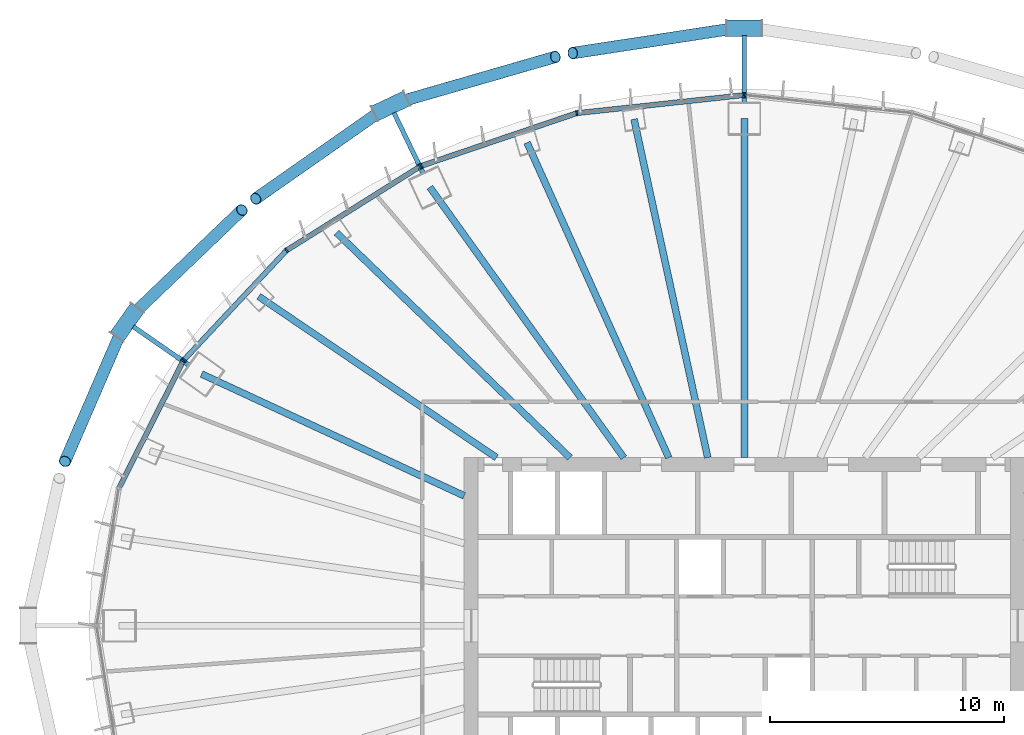
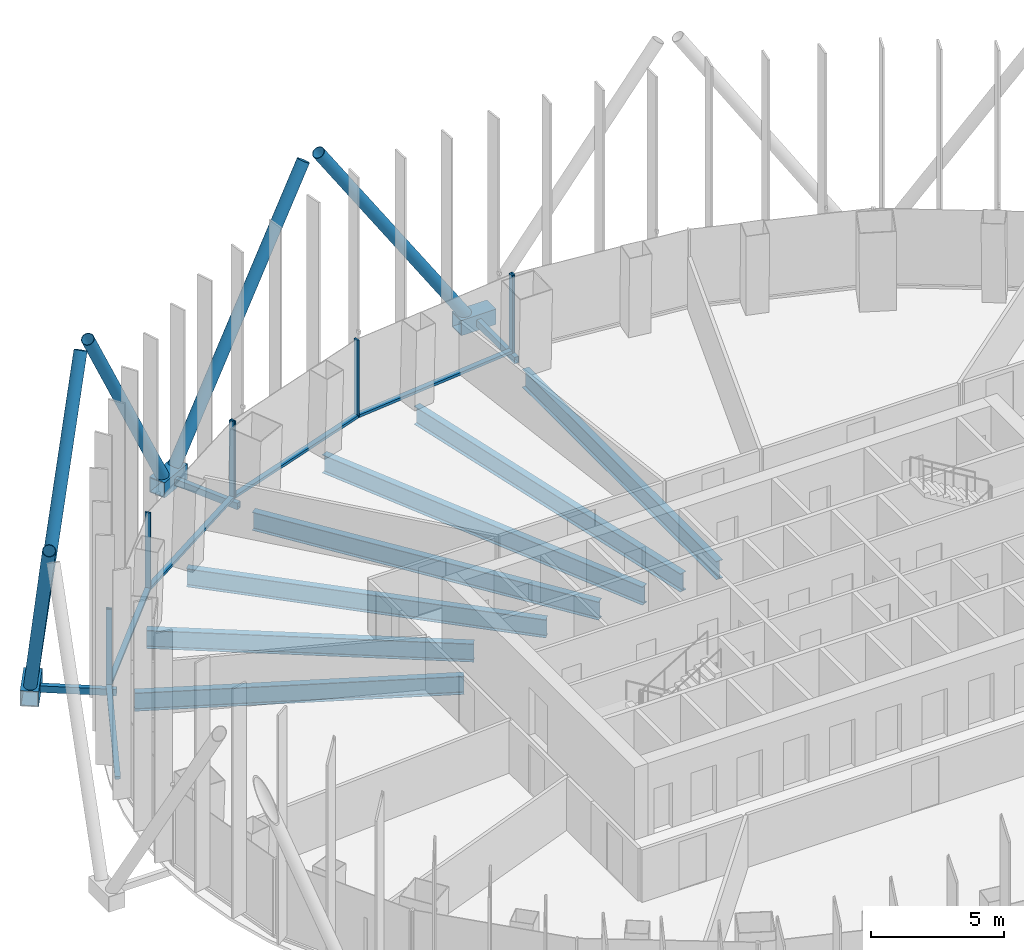
# One storey, part 5 of 22: 24 members, 7 beams, 4 elements without a shape of their own.
"""IFC4 building model written with IfcOpenShell, lengths in metres."""

from ifc_helpers import new_model, si_unit, direction, frame, origin, origin_2d, place, context, subcontext, project, spatial, rectangle, hollow_rectangle, hollow_circle, i_section, extrude, material, layer, layer_set, material_profile, profile_set, type_object, element, aggregate, save


model = new_model("IFC4")

# Units and contexts
model_context = context("Model", 3, precision=1e-05, world=origin(), true_north=direction((0.0, 1.0)))
body_context = subcontext(model_context, "Body", "Model", "MODEL_VIEW")
ifc_project = project(units=[si_unit("LENGTHUNIT", "METRE"), si_unit("AREAUNIT", "SQUARE_METRE"), si_unit("VOLUMEUNIT", "CUBIC_METRE"), si_unit("PLANEANGLEUNIT", "RADIAN"), si_unit("MASSUNIT", "GRAM", prefix="KILO")], contexts=[model_context])

# Site, building, storey
site_placement = place(None, origin())
site = spatial("IfcSite", under=ifc_project, at=site_placement, CompositionType="ELEMENT")
building_placement = place(site_placement, origin())
building = spatial("IfcBuilding", under=site, at=building_placement, Name="Siaravel Broadcast Tower", CompositionType="ELEMENT")
storey_placement = place(building_placement, frame((0.0, 0.0, 48.199951171875)))
storey = spatial("IfcBuildingStorey", under=building, at=storey_placement, Name="L10", CompositionType="ELEMENT", Elevation=48.199951171875)

# Beams
ifc_material_1 = material(Name="Steel S355", Category="steel")
ifc_material_profile_1 = material_profile(ifc_material_1, i_section(OverallWidth=0.291748046875, OverallDepth=0.8349609375, WebThickness=0.013916015625, FlangeThickness=0.018798828125, FilletRadius=0.017822265625, at=origin_2d()))
ifc_profile_set_1 = profile_set([ifc_material_profile_1], Name="Steel S355")
beam_type = type_object("IfcBeamType", Name="BM-UB 838x292x176", PredefinedType="BEAM", material=ifc_profile_set_1)
beam_1_placement = place(storey_placement, frame((0.0, 21.73193359375, -0.5673828125), z_axis=(0.0, -1.0, 0.0), x_axis=(1.0, 0.0, 0.0)))
element("IfcBeam", 1, at=beam_1_placement, inside=storey, type_object=beam_type, Name="Radial beam RB10", PredefinedType="BEAM", context=body_context, shape_type="SweptSolid", body=[
    extrude(i_section(OverallWidth=0.291748046875, OverallDepth=0.8349609375, WebThickness=0.013916015625, FlangeThickness=0.018798828125, FilletRadius=0.017822265625, at=origin_2d()), origin(), (0.0, 0.0, 1.0), 14.531982421875),
])
beam_2_placement = place(storey_placement, frame((-4.725830078125, 21.693359375, -0.5673828125), z_axis=(0.21284713, -0.977085513, 0.0), x_axis=(0.977085513, 0.21284713, 0.0)))
element("IfcBeam", 2, at=beam_2_placement, inside=storey, type_object=beam_type, Name="Radial beam RB11", PredefinedType="BEAM", context=body_context, shape_type="SweptSolid", body=[
    extrude(i_section(OverallWidth=0.291748046875, OverallDepth=0.8349609375, WebThickness=0.013916015625, FlangeThickness=0.018798828125, FilletRadius=0.017822265625, at=origin_2d()), origin(), (0.0, 0.0, 1.0), 14.833251953125),
])
beam_3_placement = place(storey_placement, frame((-9.304931640625, 20.6884765625, -0.5673828125), z_axis=(0.410185528, -0.912002101, 0.0), x_axis=(0.912002101, 0.410185528, 0.0)))
element("IfcBeam", 3, at=beam_3_placement, inside=storey, type_object=beam_type, Name="Radial beam RB12", PredefinedType="BEAM", context=body_context, shape_type="SweptSolid", body=[
    extrude(i_section(OverallWidth=0.291748046875, OverallDepth=0.8349609375, WebThickness=0.013916015625, FlangeThickness=0.018798828125, FilletRadius=0.017822265625, at=origin_2d()), origin(), (0.0, 0.0, 1.0), 14.7900390625),
])
beam_4_placement = place(storey_placement, frame((-13.466796875, 18.77880859375, -0.5673828125), z_axis=(0.582764, -0.812641446, 0.0), x_axis=(0.812641446, 0.582764, 0.0)))
element("IfcBeam", 4, at=beam_4_placement, inside=storey, type_object=beam_type, Name="Radial beam RB13", PredefinedType="BEAM", context=body_context, shape_type="SweptSolid", body=[
    extrude(i_section(OverallWidth=0.291748046875, OverallDepth=0.8349609375, WebThickness=0.013916015625, FlangeThickness=0.018798828125, FilletRadius=0.017822265625, at=origin_2d()), origin(), (0.0, 0.0, 1.0), 14.24853515625),
])
beam_5_placement = place(storey_placement, frame((-17.4638671875, 16.8310546875, -0.5673828125), z_axis=(0.720030107, -0.693942825, 0.0), x_axis=(0.693942825, 0.720030107, 0.0)))
element("IfcBeam", 5, at=beam_5_placement, inside=storey, type_object=beam_type, Name="Radial beam RB14", PredefinedType="BEAM", context=body_context, shape_type="SweptSolid", body=[
    extrude(i_section(OverallWidth=0.291748046875, OverallDepth=0.8349609375, WebThickness=0.013916015625, FlangeThickness=0.018798828125, FilletRadius=0.017822265625, at=origin_2d()), origin(), (0.0, 0.0, 1.0), 13.87890625),
])
beam_6_placement = place(storey_placement, frame((-20.7939453125, 14.103515625, -0.5673828125), z_axis=(0.827598621, -0.561320338, 0.0), x_axis=(0.561320338, 0.827598621, 0.0)))
element("IfcBeam", 6, at=beam_6_placement, inside=storey, type_object=beam_type, Name="Radial beam RB15", PredefinedType="BEAM", context=body_context, shape_type="SweptSolid", body=[
    extrude(i_section(OverallWidth=0.291748046875, OverallDepth=0.8349609375, WebThickness=0.013916015625, FlangeThickness=0.018798828125, FilletRadius=0.017822265625, at=origin_2d()), origin(), (0.0, 0.0, 1.0), 12.298828125),
])
beam_7_placement = place(storey_placement, frame((-23.240478515625, 10.7822265625, -0.5673828125), z_axis=(0.907130681, -0.420849055, 0.0), x_axis=(0.420849055, 0.907130681, 0.0)))
element("IfcBeam", 7, at=beam_7_placement, inside=storey, type_object=beam_type, Name="Radial beam RB16", PredefinedType="BEAM", context=body_context, shape_type="SweptSolid", body=[
    extrude(i_section(OverallWidth=0.291748046875, OverallDepth=0.8349609375, WebThickness=0.013916015625, FlangeThickness=0.018798828125, FilletRadius=0.017822265625, at=origin_2d()), origin(), (0.0, 0.0, 1.0), 12.391357421875),
])

# Curtain wall, member
ifc_material_2 = material(Name="Aluminium 6063-T6", Category="aluminium")
ifc_layer = layer(ifc_material_2, 0.219970703125)
ifc_layer_set = layer_set([ifc_layer], Name="Aluminium 6063-T6")
curtain_wall_type = type_object("IfcCurtainWallType", Name="Unitised curtain wall, zone 1", PredefinedType="NOTDEFINED", material=ifc_layer_set)
curtain_wall_1_placement = place(storey_placement, origin())
curtain_wall_1 = element("IfcCurtainWall", 8, at=curtain_wall_1_placement, inside=storey, type_object=curtain_wall_type, Name="L10 Unitised curtain wall, zone 1 03", PredefinedType="NOTDEFINED")
ifc_material_profile_2 = material_profile(ifc_material_2, rectangle(XDim=0.219970703125, YDim=0.070068359375, at=origin_2d()))
ifc_profile_set_2 = profile_set([ifc_material_profile_2], Name="Aluminium 6063-T6")
member_type_1 = type_object("IfcMemberType", Name="CW-Z1 mullion", PredefinedType="MULLION", material=ifc_profile_set_2)
member_1_placement = place(storey_placement, frame((0.034912109375, 22.720703125, 0.0), z_axis=(0.0, 0.0, 1.0), x_axis=(-0.107217536, -0.994235586, 0.0)))
member_1 = element("IfcMember", 9, at=member_1_placement, type_object=member_type_1, Name="CW-Z1 mullion 3", PredefinedType="MULLION", context=body_context, shape_type="SweptSolid", body=[
    extrude(rectangle(XDim=0.219970703125, YDim=0.070068359375, at=origin_2d()), origin(), (0.0, 0.0, 1.0), 3.550048828125),
])
aggregate(curtain_wall_1, [member_1])

# Curtain wall, members
curtain_wall_2_placement = place(storey_placement, origin())
curtain_wall_2 = element("IfcCurtainWall", 10, at=curtain_wall_2_placement, inside=storey, type_object=curtain_wall_type, Name="L10 Unitised curtain wall, zone 1 04", PredefinedType="NOTDEFINED")
member_2_placement = place(storey_placement, frame((-0.034912109375, 22.720703125, 0.0), z_axis=(0.0, 0.0, 1.0), x_axis=(0.107217536, -0.994235586, 0.0)))
member_2 = element("IfcMember", 11, at=member_2_placement, type_object=member_type_1, Name="CW-Z1 mullion 1", PredefinedType="MULLION", context=body_context, shape_type="SweptSolid", body=[
    extrude(rectangle(XDim=0.219970703125, YDim=0.070068359375, at=origin_2d()), origin(), (0.0, 0.0, 1.0), 3.550048828125),
])
member_3_placement = place(storey_placement, frame((-7.17529296875, 21.95068359375, 0.0), z_axis=(0.0, 0.0, 1.0), x_axis=(0.215558136, -0.976491009, 0.0)))
member_3 = element("IfcMember", 12, at=member_3_placement, type_object=member_type_1, Name="CW-Z1 mullion 2", PredefinedType="MULLION", context=body_context, shape_type="SweptSolid", body=[
    extrude(rectangle(XDim=0.219970703125, YDim=0.070068359375, at=origin_2d()), origin(), (0.0, 0.0, 1.0), 3.550048828125),
])
member_4_placement = place(storey_placement, frame((-13.8291015625, 19.693115234375, 0.0), z_axis=(0.0, 0.0, 1.0), x_axis=(0.321300709, -0.94697722, 0.0)))
member_4 = element("IfcMember", 13, at=member_4_placement, type_object=member_type_1, Name="CW-Z1 mullion 3", PredefinedType="MULLION", context=body_context, shape_type="SweptSolid", body=[
    extrude(rectangle(XDim=0.219970703125, YDim=0.070068359375, at=origin_2d()), origin(), (0.0, 0.0, 1.0), 3.550048828125),
])

curtain_wall_3_placement = place(storey_placement, origin())
curtain_wall_3 = element("IfcCurtainWall", 14, at=curtain_wall_3_placement, inside=storey, type_object=curtain_wall_type, Name="L10 Unitised curtain wall, zone 1 05", PredefinedType="NOTDEFINED")
member_5_placement = place(storey_placement, frame((-13.89208984375, 19.663330078125, 0.0), z_axis=(0.0, 0.0, 1.0), x_axis=(0.532149214, -0.846650586, 0.0)))
member_5 = element("IfcMember", 15, at=member_5_placement, type_object=member_type_1, Name="CW-Z1 mullion 1", PredefinedType="MULLION", context=body_context, shape_type="SweptSolid", body=[
    extrude(rectangle(XDim=0.219970703125, YDim=0.070068359375, at=origin_2d()), origin(), (0.0, 0.0, 1.0), 3.550048828125),
])
member_6_placement = place(storey_placement, frame((-19.605712890625, 16.072021484375, 0.0), z_axis=(0.0, 0.0, 1.0), x_axis=(0.636218527, -0.771508902, 0.0)))
member_6 = element("IfcMember", 16, at=member_6_placement, type_object=member_type_1, Name="CW-Z1 mullion 2", PredefinedType="MULLION", context=body_context, shape_type="SweptSolid", body=[
    extrude(rectangle(XDim=0.219970703125, YDim=0.070068359375, at=origin_2d()), origin(), (0.0, 0.0, 1.0), 3.550048828125),
])
member_7_placement = place(storey_placement, frame((-23.990234375, 11.3916015625, 0.0), z_axis=(0.0, 0.0, 1.0), x_axis=(0.729805061, -0.683655302, 0.0)))
member_7 = element("IfcMember", 17, at=member_7_placement, type_object=member_type_1, Name="CW-Z1 mullion 3", PredefinedType="MULLION", context=body_context, shape_type="SweptSolid", body=[
    extrude(rectangle(XDim=0.219970703125, YDim=0.070068359375, at=origin_2d()), origin(), (0.0, 0.0, 1.0), 3.550048828125),
])

# Curtain wall, member
curtain_wall_4_placement = place(storey_placement, origin())
curtain_wall_4 = element("IfcCurtainWall", 18, at=curtain_wall_4_placement, inside=storey, type_object=curtain_wall_type, Name="L10 Unitised curtain wall, zone 1 06", PredefinedType="NOTDEFINED")
member_8_placement = place(storey_placement, frame((-24.02978515625, 11.3349609375, 0.0), z_axis=(0.0, 0.0, 1.0), x_axis=(0.892391886, -0.451261257, 0.0)))
member_8 = element("IfcMember", 19, at=member_8_placement, type_object=member_type_1, Name="CW-Z1 mullion 1", PredefinedType="MULLION", context=body_context, shape_type="SweptSolid", body=[
    extrude(rectangle(XDim=0.219970703125, YDim=0.070068359375, at=origin_2d()), origin(), (0.0, 0.0, 1.0), 3.550048828125),
])

# Member
ifc_material_profile_3 = material_profile(ifc_material_2, rectangle(XDim=0.219970703125, YDim=0.1201171875, at=origin_2d()))
ifc_profile_set_3 = profile_set([ifc_material_profile_3], Name="Aluminium 6063-T6")
member_type_2 = type_object("IfcMemberType", Name="CW-Z1 transom", PredefinedType="USERDEFINED", material=ifc_profile_set_3)
member_9_placement = place(storey_placement, frame((-0.069580078125, 22.717041015625, 0.06005859375), z_axis=(-0.994236456, -0.107209463, 0.0), x_axis=(0.107209463, -0.994236456, 0.0)))
member_9 = element("IfcMember", 20, at=member_9_placement, type_object=member_type_2, Name="CW-Z1 transom 1", ObjectType="TRANSOM", PredefinedType="USERDEFINED", context=body_context, shape_type="SweptSolid", body=[
    extrude(rectangle(XDim=0.219970703125, YDim=0.1201171875, at=origin_2d()), origin(), (0.0, 0.0, 1.0), 7.11181640625),
])

member_10_placement = place(storey_placement, frame((-7.20849609375, 21.939697265625, 0.06005859375), z_axis=(-0.946974505, -0.321308709, 0.0), x_axis=(0.321308709, -0.946974505, 0.0)))
member_10 = element("IfcMember", 21, at=member_10_placement, type_object=member_type_2, Name="CW-Z1 transom 2", ObjectType="TRANSOM", PredefinedType="USERDEFINED", context=body_context, shape_type="SweptSolid", body=[
    extrude(rectangle(XDim=0.219970703125, YDim=0.1201171875, at=origin_2d()), origin(), (0.0, 0.0, 1.0), 6.956298828125),
])

aggregate(curtain_wall_2, [member_2, member_3, member_4, member_9, member_10])

member_11_placement = place(storey_placement, frame((-13.921630859375, 19.644775390625, 0.06005859375), z_axis=(-0.846658666, -0.532136358, 0.0), x_axis=(0.532136358, -0.846658666, 0.0)))
member_11 = element("IfcMember", 22, at=member_11_placement, type_object=member_type_2, Name="CW-Z1 transom 1", ObjectType="TRANSOM", PredefinedType="USERDEFINED", context=body_context, shape_type="SweptSolid", body=[
    extrude(rectangle(XDim=0.219970703125, YDim=0.1201171875, at=origin_2d()), origin(), (0.0, 0.0, 1.0), 6.6787109375),
])

member_12_placement = place(storey_placement, frame((-19.629638671875, 16.04638671875, 0.06005859375), z_axis=(-0.683676063, -0.729785613, 0.0), x_axis=(0.729785613, -0.683676063, 0.0)))
member_12 = element("IfcMember", 23, at=member_12_placement, type_object=member_type_2, Name="CW-Z1 transom 2", ObjectType="TRANSOM", PredefinedType="USERDEFINED", context=body_context, shape_type="SweptSolid", body=[
    extrude(rectangle(XDim=0.219970703125, YDim=0.1201171875, at=origin_2d()), origin(), (0.0, 0.0, 1.0), 6.34326171875),
])

aggregate(curtain_wall_3, [member_5, member_6, member_7, member_11, member_12])

member_13_placement = place(storey_placement, frame((-24.045654296875, 11.3037109375, 0.06005859375), z_axis=(-0.451268424, -0.892388262, 0.0), x_axis=(0.892388262, -0.451268424, 0.0)))
member_13 = element("IfcMember", 24, at=member_13_placement, type_object=member_type_2, Name="CW-Z1 transom 1", ObjectType="TRANSOM", PredefinedType="USERDEFINED", context=body_context, shape_type="SweptSolid", body=[
    extrude(rectangle(XDim=0.219970703125, YDim=0.1201171875, at=origin_2d()), origin(), (0.0, 0.0, 1.0), 6.038330078125),
])

aggregate(curtain_wall_4, [member_8, member_13])

# Members
ifc_material_3 = material(Name="Steel S460", Category="steel")
ifc_material_profile_4 = material_profile(ifc_material_3, hollow_circle(Radius=0.25390625, WallThickness=0.02001953125, at=origin_2d()))
ifc_profile_set_4 = profile_set([ifc_material_profile_4], Name="Steel S460")
member_type_3 = type_object("IfcMemberType", Name="Diagrid diagonal CHS 508x20", PredefinedType="BRACE", material=ifc_profile_set_4)
member_14_placement = place(storey_placement, frame((-0.37939453125, 25.58935546875, 0.1201171875), z_axis=(-0.552638055, -0.084549346, 0.829121576), x_axis=(0.151232576, -0.988498208, 0.0)))
element("IfcMember", 25, at=member_14_placement, inside=storey, type_object=member_type_3, Name="Diagrid diagonal R05 station 18A", PredefinedType="BRACE", context=body_context, shape_type="SweptSolid", body=[
    extrude(hollow_circle(Radius=0.25390625, WallThickness=0.02001953125, at=origin_2d()), origin(), (0.0, 0.0, 1.0), 12.61572265625),
])
member_15_placement = place(storey_placement, frame((-14.801513671875, 22.421875, 0.1201171875), z_axis=(0.533437744, 0.154110708, 0.831681467), x_axis=(-0.277550409, 0.960711076, 0.0)))
element("IfcMember", 26, at=member_15_placement, inside=storey, type_object=member_type_3, Name="Diagrid diagonal R05 station 24C", PredefinedType="BRACE", context=body_context, shape_type="SweptSolid", body=[
    extrude(hollow_circle(Radius=0.25390625, WallThickness=0.02001953125, at=origin_2d()), origin(), (0.0, 0.0, 1.0), 12.576904296875),
])
member_16_placement = place(storey_placement, frame((-15.487548828125, 22.097412109375, 0.1201171875), z_axis=(-0.439055181, -0.307657811, 0.844142891), x_axis=(0.573861847, -0.818952123, 0.0)))
element("IfcMember", 27, at=member_16_placement, inside=storey, type_object=member_type_3, Name="Diagrid diagonal R05 station 24A", PredefinedType="BRACE", context=body_context, shape_type="SweptSolid", body=[
    extrude(hollow_circle(Radius=0.25390625, WallThickness=0.02001953125, at=origin_2d()), origin(), (0.0, 0.0, 1.0), 12.39111328125),
])
member_17_placement = place(storey_placement, frame((-26.21240234375, 13.302734375, 0.1201171875), z_axis=(0.381326995, 0.365431764, 0.849146247), x_axis=(-0.691898843, 0.721994454, 0.0)))
element("IfcMember", 28, at=member_17_placement, inside=storey, type_object=member_type_3, Name="Diagrid diagonal R05 station 30C", PredefinedType="BRACE", context=body_context, shape_type="SweptSolid", body=[
    extrude(hollow_circle(Radius=0.25390625, WallThickness=0.02001953125, at=origin_2d()), origin(), (0.0, 0.0, 1.0), 12.318115234375),
])
member_18_placement = place(storey_placement, frame((-26.649658203125, 12.6826171875, 0.1201171875), z_axis=(-0.201259245, -0.465212063, 0.862016504), x_axis=(0.917794883, -0.397054849, 0.0)))
element("IfcMember", 29, at=member_18_placement, inside=storey, type_object=member_type_3, Name="Diagrid diagonal R05 station 30A", PredefinedType="BRACE", context=body_context, shape_type="SweptSolid", body=[
    extrude(hollow_circle(Radius=0.25390625, WallThickness=0.02001953125, at=origin_2d()), origin(), (0.0, 0.0, 1.0), 12.13427734375),
])
ifc_material_profile_5 = material_profile(ifc_material_3, hollow_rectangle(XDim=0.699951171875, YDim=0.699951171875, WallThickness=0.0400390625, at=origin_2d()))
ifc_profile_set_5 = profile_set([ifc_material_profile_5], Name="Steel S460")
member_type_4 = type_object("IfcMemberType", Name="Diagrid node BOX 700x700x40", PredefinedType="USERDEFINED", material=ifc_profile_set_5)
member_19_placement = place(storey_placement, frame((0.75341796875, 25.58935546875, -0.199951171875), z_axis=(-1.0, 0.0, 0.0), x_axis=(0.0, -1.0, 0.0)))
element("IfcMember", 30, at=member_19_placement, inside=storey, type_object=member_type_4, Name="Diagrid node R05 station 18", ObjectType="DIAGRID NODE", PredefinedType="USERDEFINED", context=body_context, shape_type="SweptSolid", body=[
    extrude(hollow_rectangle(XDim=0.699951171875, YDim=0.699951171875, WallThickness=0.0400390625, at=origin_2d()), origin(), (0.0, 0.0, 1.0), 1.5068359375),
])
member_20_placement = place(storey_placement, frame((-14.46337890625, 22.581787109375, -0.199951171875), z_axis=(-0.903998275, -0.427536102, 0.0), x_axis=(0.427536102, -0.903998275, 0.0)))
element("IfcMember", 31, at=member_20_placement, inside=storey, type_object=member_type_4, Name="Diagrid node R05 station 24", ObjectType="DIAGRID NODE", PredefinedType="USERDEFINED", context=body_context, shape_type="SweptSolid", body=[
    extrude(hollow_rectangle(XDim=0.699951171875, YDim=0.699951171875, WallThickness=0.0400390625, at=origin_2d()), origin(), (0.0, 0.0, 1.0), 1.507080078125),
])
member_21_placement = place(storey_placement, frame((-25.9970703125, 13.6083984375, -0.199951171875), z_axis=(-0.576015054, -0.817439085, 0.0), x_axis=(0.817439085, -0.576015054, 0.0)))
element("IfcMember", 32, at=member_21_placement, inside=storey, type_object=member_type_4, Name="Diagrid node R05 station 30", ObjectType="DIAGRID NODE", PredefinedType="USERDEFINED", context=body_context, shape_type="SweptSolid", body=[
    extrude(hollow_rectangle(XDim=0.699951171875, YDim=0.699951171875, WallThickness=0.0400390625, at=origin_2d()), origin(), (0.0, 0.0, 1.0), 1.5068359375),
])
ifc_material_profile_6 = material_profile(ifc_material_3, hollow_rectangle(XDim=0.199951171875, YDim=0.300048828125, WallThickness=0.012451171875, at=origin_2d()))
ifc_profile_set_6 = profile_set([ifc_material_profile_6], Name="Steel S460")
member_type_5 = type_object("IfcMemberType", Name="Diagrid node arm RHS 300x200x12.5", PredefinedType="STRUT", material=ifc_profile_set_6)
member_22_placement = place(storey_placement, frame((0.0, 22.402099609375, -0.199951171875), z_axis=(0.0, 1.0, 0.0), x_axis=(-1.0, 0.0, 0.0)))
element("IfcMember", 33, at=member_22_placement, inside=storey, type_object=member_type_5, Name="Node arm R05 station 18", PredefinedType="STRUT", context=body_context, shape_type="SweptSolid", body=[
    extrude(hollow_rectangle(XDim=0.199951171875, YDim=0.300048828125, WallThickness=0.012451171875, at=origin_2d()), origin(), (0.0, 0.0, 1.0), 2.8671875),
])
member_23_placement = place(storey_placement, frame((-13.757568359375, 19.382080078125, -0.199951171875), z_axis=(-0.434188426, 0.900822075, 0.0), x_axis=(-0.900822075, -0.434188426, 0.0)))
element("IfcMember", 34, at=member_23_placement, inside=storey, type_object=member_type_5, Name="Node arm R05 station 24", PredefinedType="STRUT", context=body_context, shape_type="SweptSolid", body=[
    extrude(hollow_rectangle(XDim=0.199951171875, YDim=0.300048828125, WallThickness=0.012451171875, at=origin_2d()), origin(), (0.0, 0.0, 1.0), 2.87451171875),
])
member_24_placement = place(storey_placement, frame((-23.791259765625, 11.163818359375, -0.199951171875), z_axis=(-0.822046263, 0.569420707, 0.0), x_axis=(-0.569420707, -0.822046263, 0.0)))
element("IfcMember", 35, at=member_24_placement, inside=storey, type_object=member_type_5, Name="Node arm R05 station 30", PredefinedType="STRUT", context=body_context, shape_type="SweptSolid", body=[
    extrude(hollow_rectangle(XDim=0.199951171875, YDim=0.300048828125, WallThickness=0.012451171875, at=origin_2d()), origin(), (0.0, 0.0, 1.0), 2.8916015625),
])

save(model, "model.ifc")
